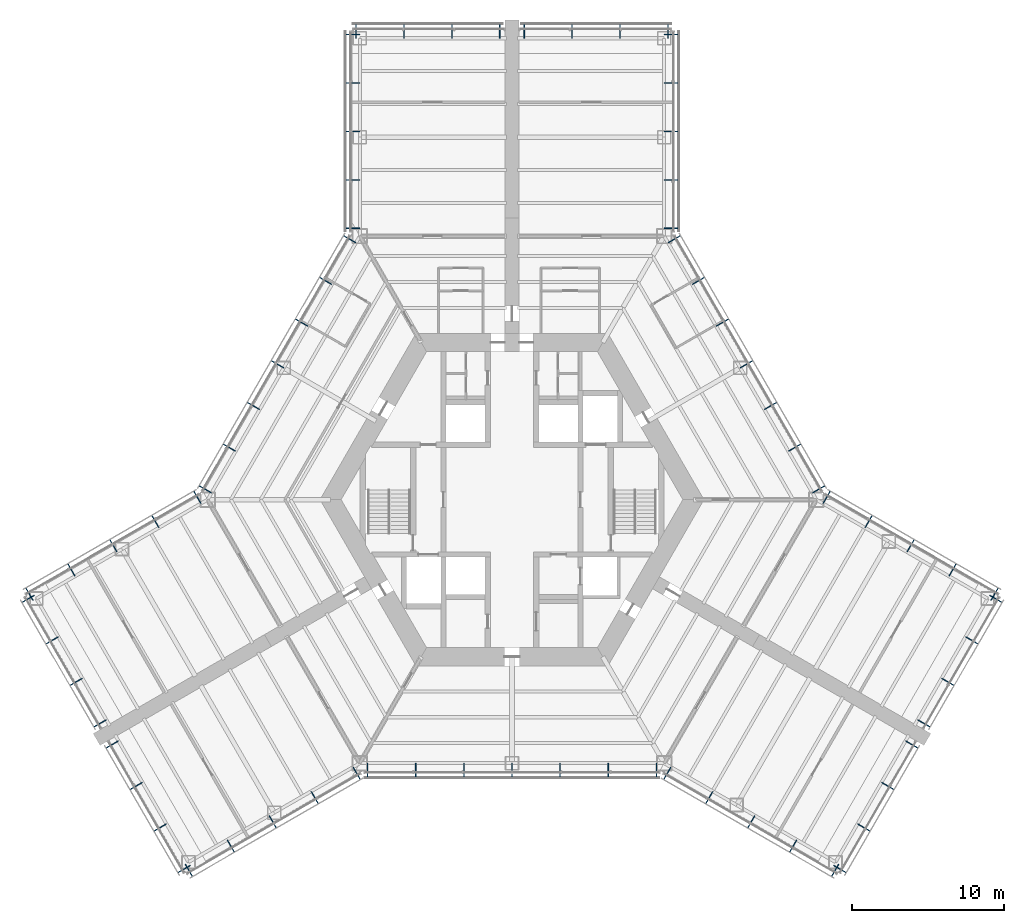
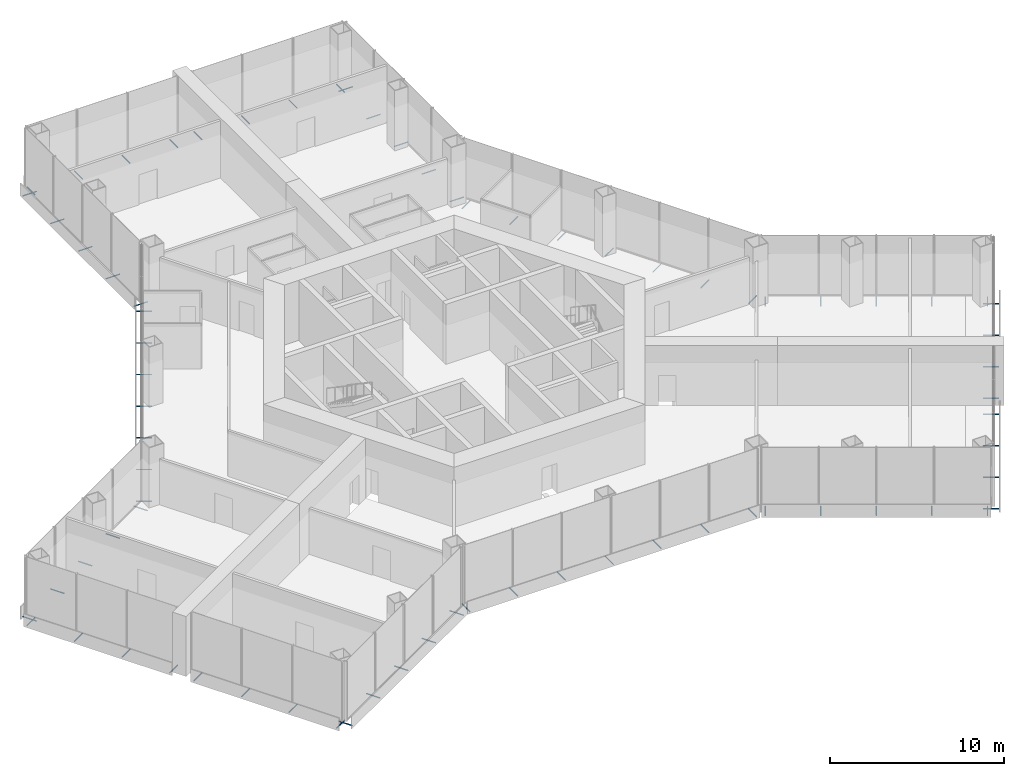
# One storey, part 14 of 16: 75 discrete accessories.
"""IFC4 building model written with IfcOpenShell, lengths in metres."""

from ifc_helpers import new_model, si_unit, direction, frame, origin, origin_2d, place, context, subcontext, project, spatial, hollow_circle, extrude, material, material_profile, profile_set, type_object, element, save


model = new_model("IFC4")

# Units and contexts
model_context = context("Model", 3, precision=1e-05, world=origin(), true_north=direction((0.0, 1.0)))
body_context = subcontext(model_context, "Body", "Model", "MODEL_VIEW")
ifc_project = project(units=[si_unit("LENGTHUNIT", "METRE"), si_unit("AREAUNIT", "SQUARE_METRE"), si_unit("VOLUMEUNIT", "CUBIC_METRE"), si_unit("PLANEANGLEUNIT", "RADIAN"), si_unit("MASSUNIT", "GRAM", prefix="KILO")], contexts=[model_context])

# Site, building, storey
site_placement = place(None, origin())
site = spatial("IfcSite", under=ifc_project, at=site_placement, CompositionType="ELEMENT")
building_placement = place(site_placement, origin())
building = spatial("IfcBuilding", under=site, at=building_placement, Name="Kasaneha Research Tower", CompositionType="ELEMENT")
storey_placement = place(building_placement, frame((0.0, 0.0, 10.0)))
storey = spatial("IfcBuildingStorey", under=building, at=storey_placement, Name="L03", CompositionType="ELEMENT", Elevation=10.0)

# Discrete accessories
ifc_material = material(Name="Steel STK400", Category="steel")
ifc_material_profile = material_profile(ifc_material, hollow_circle(Radius=0.0380859375, WallThickness=0.00390625, at=origin_2d()), Name="CHS-76.3x4.0")
ifc_profile_set = profile_set([ifc_material_profile], Name="Steel STK400")
discrete_accessory_type = type_object("IfcDiscreteAccessoryType", Name="Screen bracket CHS-76.3x4.0", PredefinedType="BRACKET", material=ifc_profile_set)
discrete_accessory_1_placement = place(storey_placement, frame((-21.474853515625, -23.945556640625, -0.35009765625), z_axis=(0.500021113727, -0.866013213425, 0.0), x_axis=(0.866013213425, 0.500021113727, 0.0)))
element("IfcDiscreteAccessory", 1, at=discrete_accessory_1_placement, inside=storey, type_object=discrete_accessory_type, Name="Screen bracket 1", PredefinedType="BRACKET", context=body_context, shape_type="SweptSolid", body=[
    extrude(hollow_circle(Radius=0.0380859375, WallThickness=0.00390625, at=origin_2d()), origin(), (0.0, 0.0, 1.0), 0.919921875),
])
discrete_accessory_2_placement = place(storey_placement, frame((-18.716796875, -22.35302734375, -0.35009765625), z_axis=(0.500105201737, -0.865964657013, 0.0), x_axis=(0.865964657013, 0.500105201737, 0.0)))
element("IfcDiscreteAccessory", 2, at=discrete_accessory_2_placement, inside=storey, type_object=discrete_accessory_type, Name="Screen bracket 2", PredefinedType="BRACKET", context=body_context, shape_type="SweptSolid", body=[
    extrude(hollow_circle(Radius=0.0380859375, WallThickness=0.00390625, at=origin_2d()), origin(), (0.0, 0.0, 1.0), 0.920166015625),
])
discrete_accessory_3_placement = place(storey_placement, frame((-15.95849609375, -20.7607421875, -0.35009765625), z_axis=(0.500021113727, -0.866013213425, 0.0), x_axis=(0.866013213425, 0.500021113727, 0.0)))
element("IfcDiscreteAccessory", 3, at=discrete_accessory_3_placement, inside=storey, type_object=discrete_accessory_type, Name="Screen bracket 3", PredefinedType="BRACKET", context=body_context, shape_type="SweptSolid", body=[
    extrude(hollow_circle(Radius=0.0380859375, WallThickness=0.00390625, at=origin_2d()), origin(), (0.0, 0.0, 1.0), 0.919921875),
])
discrete_accessory_4_placement = place(storey_placement, frame((-13.200439453125, -19.168212890625, -0.35009765625), z_axis=(0.499906209203, -0.866079547155, 0.0), x_axis=(0.866079547155, 0.499906209203, 0.0)))
element("IfcDiscreteAccessory", 4, at=discrete_accessory_4_placement, inside=storey, type_object=discrete_accessory_type, Name="Screen bracket 4", PredefinedType="BRACKET", context=body_context, shape_type="SweptSolid", body=[
    extrude(hollow_circle(Radius=0.0380859375, WallThickness=0.00390625, at=origin_2d()), origin(), (0.0, 0.0, 1.0), 0.920166015625),
])
for number, where, z_axis, x_axis, name in (
    (5, (-10.4423828125, -17.575927734375, -0.35009765625), (0.500021113727, -0.866013213425, 0.0), (0.866013213425, 0.500021113727, 0.0), "Screen bracket 5"),
    (6, (-9.4892578125, -17.320556640625, -0.35009765625), (0.0, -1.0, 0.0), (1.0, 0.0, 0.0), "Screen bracket 1"),
    (7, (-6.326171875, -17.320556640625, -0.35009765625), (0.0, -1.0, 0.0), (1.0, 0.0, 0.0), "Screen bracket 2"),
    (8, (-3.1630859375, -17.320556640625, -0.35009765625), (0.0, -1.0, 0.0), (1.0, 0.0, 0.0), "Screen bracket 3"),
    (9, (0.0, -17.320556640625, -0.35009765625), (0.0, -1.0, 0.0), (1.0, 0.0, 0.0), "Screen bracket 4"),
    (10, (3.1630859375, -17.320556640625, -0.35009765625), (0.0, -1.0, 0.0), (1.0, 0.0, 0.0), "Screen bracket 5"),
    (11, (6.326171875, -17.320556640625, -0.35009765625), (0.0, -1.0, 0.0), (1.0, 0.0, 0.0), "Screen bracket 6"),
    (12, (9.4892578125, -17.320556640625, -0.35009765625), (0.0, -1.0, 0.0), (1.0, 0.0, 0.0), "Screen bracket 7"),
    (13, (10.4423828125, -17.575927734375, -0.35009765625), (-0.500021113727, -0.866013213425, 0.0), (0.866013213425, -0.500021113727, 0.0), "Screen bracket 1"),
):
    element("IfcDiscreteAccessory", number, at=place(storey_placement, frame(where, z_axis=z_axis, x_axis=x_axis)), inside=storey, type_object=discrete_accessory_type, Name=name, PredefinedType="BRACKET", context=body_context, shape_type="SweptSolid", body=[
        extrude(hollow_circle(Radius=0.0380859375, WallThickness=0.00390625, at=origin_2d()), origin(), (0.0, 0.0, 1.0), 0.919921875),
    ])
discrete_accessory_5_placement = place(storey_placement, frame((13.200439453125, -19.168212890625, -0.35009765625), z_axis=(-0.499906209203, -0.866079547155, 0.0), x_axis=(0.866079547155, -0.499906209203, 0.0)))
element("IfcDiscreteAccessory", 14, at=discrete_accessory_5_placement, inside=storey, type_object=discrete_accessory_type, Name="Screen bracket 2", PredefinedType="BRACKET", context=body_context, shape_type="SweptSolid", body=[
    extrude(hollow_circle(Radius=0.0380859375, WallThickness=0.00390625, at=origin_2d()), origin(), (0.0, 0.0, 1.0), 0.920166015625),
])
discrete_accessory_6_placement = place(storey_placement, frame((15.95849609375, -20.7607421875, -0.35009765625), z_axis=(-0.500021113727, -0.866013213425, 0.0), x_axis=(0.866013213425, -0.500021113727, 0.0)))
element("IfcDiscreteAccessory", 15, at=discrete_accessory_6_placement, inside=storey, type_object=discrete_accessory_type, Name="Screen bracket 3", PredefinedType="BRACKET", context=body_context, shape_type="SweptSolid", body=[
    extrude(hollow_circle(Radius=0.0380859375, WallThickness=0.00390625, at=origin_2d()), origin(), (0.0, 0.0, 1.0), 0.919921875),
])
discrete_accessory_7_placement = place(storey_placement, frame((18.716796875, -22.35302734375, -0.35009765625), z_axis=(-0.500105201737, -0.865964657013, 0.0), x_axis=(0.865964657013, -0.500105201737, 0.0)))
element("IfcDiscreteAccessory", 16, at=discrete_accessory_7_placement, inside=storey, type_object=discrete_accessory_type, Name="Screen bracket 4", PredefinedType="BRACKET", context=body_context, shape_type="SweptSolid", body=[
    extrude(hollow_circle(Radius=0.0380859375, WallThickness=0.00390625, at=origin_2d()), origin(), (0.0, 0.0, 1.0), 0.920166015625),
])
discrete_accessory_8_placement = place(storey_placement, frame((21.474853515625, -23.945556640625, -0.35009765625), z_axis=(-0.500021113727, -0.866013213425, 0.0), x_axis=(0.866013213425, -0.500021113727, 0.0)))
element("IfcDiscreteAccessory", 17, at=discrete_accessory_8_placement, inside=storey, type_object=discrete_accessory_type, Name="Screen bracket 5", PredefinedType="BRACKET", context=body_context, shape_type="SweptSolid", body=[
    extrude(hollow_circle(Radius=0.0380859375, WallThickness=0.00390625, at=origin_2d()), origin(), (0.0, 0.0, 1.0), 0.919921875),
])
for number, where, z_axis, x_axis, name in (
    (18, (21.13330078125, -24.037109375, -0.35009765625), (0.866079547155, -0.499906209203, 0.0), (0.499906209203, 0.866079547155, 0.0), "Screen bracket 1"),
    (19, (22.708251953125, -21.30908203125, -0.35009765625), (0.866079547155, -0.499906209203, 0.0), (0.499906209203, 0.866079547155, 0.0), "Screen bracket 2"),
):
    element("IfcDiscreteAccessory", number, at=place(storey_placement, frame(where, z_axis=z_axis, x_axis=x_axis)), inside=storey, type_object=discrete_accessory_type, Name=name, PredefinedType="BRACKET", context=body_context, shape_type="SweptSolid", body=[
        extrude(hollow_circle(Radius=0.0380859375, WallThickness=0.00390625, at=origin_2d()), origin(), (0.0, 0.0, 1.0), 0.920166015625),
    ])
for number, where, z_axis, x_axis, name in (
    (20, (24.283447265625, -18.5810546875, -0.35009765625), (0.866013213425, -0.500021113727, 0.0), (0.500021113727, 0.866013213425, 0.0), "Screen bracket 3"),
    (21, (25.8583984375, -15.85302734375, -0.35009765625), (0.866013213425, -0.500021113727, 0.0), (0.500021113727, 0.866013213425, 0.0), "Screen bracket 4"),
    (22, (26.658447265625, -14.467529296875, -0.35009765625), (0.866013213425, -0.500021113727, 0.0), (0.500021113727, 0.866013213425, 0.0), "Screen bracket 1"),
    (23, (28.2333984375, -11.739501953125, -0.35009765625), (0.866013213425, -0.500021113727, 0.0), (0.500021113727, 0.866013213425, 0.0), "Screen bracket 2"),
    (24, (29.808349609375, -9.011474609375, -0.35009765625), (0.866013213425, -0.500021113727, 0.0), (0.500021113727, 0.866013213425, 0.0), "Screen bracket 3"),
):
    element("IfcDiscreteAccessory", number, at=place(storey_placement, frame(where, z_axis=z_axis, x_axis=x_axis)), inside=storey, type_object=discrete_accessory_type, Name=name, PredefinedType="BRACKET", context=body_context, shape_type="SweptSolid", body=[
        extrude(hollow_circle(Radius=0.0380859375, WallThickness=0.00390625, at=origin_2d()), origin(), (0.0, 0.0, 1.0), 0.919921875),
    ])
discrete_accessory_9_placement = place(storey_placement, frame((31.38330078125, -6.283447265625, -0.35009765625), z_axis=(0.866079547155, -0.499906209203, 0.0), x_axis=(0.499906209203, 0.866079547155, 0.0)))
element("IfcDiscreteAccessory", 25, at=discrete_accessory_9_placement, inside=storey, type_object=discrete_accessory_type, Name="Screen bracket 4", PredefinedType="BRACKET", context=body_context, shape_type="SweptSolid", body=[
    extrude(hollow_circle(Radius=0.0380859375, WallThickness=0.00390625, at=origin_2d()), origin(), (0.0, 0.0, 1.0), 0.920166015625),
])
discrete_accessory_10_placement = place(storey_placement, frame((31.474853515625, -6.625, -0.35009765625), z_axis=(0.500021113727, 0.866013213425, 0.0), x_axis=(-0.866013213425, 0.500021113727, 0.0)))
element("IfcDiscreteAccessory", 26, at=discrete_accessory_10_placement, inside=storey, type_object=discrete_accessory_type, Name="Screen bracket 1", PredefinedType="BRACKET", context=body_context, shape_type="SweptSolid", body=[
    extrude(hollow_circle(Radius=0.0380859375, WallThickness=0.00390625, at=origin_2d()), origin(), (0.0, 0.0, 1.0), 0.919921875),
])
discrete_accessory_11_placement = place(storey_placement, frame((28.716796875, -5.03271484375, -0.35009765625), z_axis=(0.499906209203, 0.866079547155, 0.0), x_axis=(-0.866079547155, 0.499906209203, 0.0)))
element("IfcDiscreteAccessory", 27, at=discrete_accessory_11_placement, inside=storey, type_object=discrete_accessory_type, Name="Screen bracket 2", PredefinedType="BRACKET", context=body_context, shape_type="SweptSolid", body=[
    extrude(hollow_circle(Radius=0.0380859375, WallThickness=0.00390625, at=origin_2d()), origin(), (0.0, 0.0, 1.0), 0.920166015625),
])
discrete_accessory_12_placement = place(storey_placement, frame((25.95849609375, -3.440185546875, -0.35009765625), z_axis=(0.500220121494, 0.865898279276, 0.0), x_axis=(-0.865898279276, 0.500220121494, 0.0)))
element("IfcDiscreteAccessory", 28, at=discrete_accessory_12_placement, inside=storey, type_object=discrete_accessory_type, Name="Screen bracket 3", PredefinedType="BRACKET", context=body_context, shape_type="SweptSolid", body=[
    extrude(hollow_circle(Radius=0.0380859375, WallThickness=0.00390625, at=origin_2d()), origin(), (0.0, 0.0, 1.0), 0.919921875),
])
discrete_accessory_13_placement = place(storey_placement, frame((23.200439453125, -1.847900390625, -0.35009765625), z_axis=(0.499906209203, 0.866079547155, 0.0), x_axis=(-0.866079547155, 0.499906209203, 0.0)))
element("IfcDiscreteAccessory", 29, at=discrete_accessory_13_placement, inside=storey, type_object=discrete_accessory_type, Name="Screen bracket 4", PredefinedType="BRACKET", context=body_context, shape_type="SweptSolid", body=[
    extrude(hollow_circle(Radius=0.0380859375, WallThickness=0.00390625, at=origin_2d()), origin(), (0.0, 0.0, 1.0), 0.920166015625),
])
for number, where, z_axis, x_axis, name in (
    (30, (20.4423828125, -0.25537109375, -0.35009765625), (0.500021113727, 0.866013213425, 0.0), (-0.866013213425, 0.500021113727, 0.0), "Screen bracket 5"),
    (31, (19.74462890625, 0.4423828125, -0.35009765625), (0.866013213425, 0.500021113727, 0.0), (-0.500021113727, 0.866013213425, 0.0), "Screen bracket 1"),
    (32, (18.1630859375, 3.181640625, -0.35009765625), (0.866013213425, 0.500021113727, 0.0), (-0.500021113727, 0.866013213425, 0.0), "Screen bracket 2"),
    (33, (16.58154296875, 5.9208984375, -0.35009765625), (0.866013213425, 0.500021113727, 0.0), (-0.500021113727, 0.866013213425, 0.0), "Screen bracket 3"),
    (34, (15.0, 8.66015625, -0.35009765625), (0.865898279276, 0.500220121494, 0.0), (-0.500220121494, 0.865898279276, 0.0), "Screen bracket 4"),
    (35, (13.41845703125, 11.399658203125, -0.35009765625), (0.866013213425, 0.500021113727, 0.0), (-0.500021113727, 0.866013213425, 0.0), "Screen bracket 5"),
    (36, (11.8369140625, 14.138916015625, -0.35009765625), (0.866013213425, 0.500021113727, 0.0), (-0.500021113727, 0.866013213425, 0.0), "Screen bracket 6"),
):
    element("IfcDiscreteAccessory", number, at=place(storey_placement, frame(where, z_axis=z_axis, x_axis=x_axis)), inside=storey, type_object=discrete_accessory_type, Name=name, PredefinedType="BRACKET", context=body_context, shape_type="SweptSolid", body=[
        extrude(hollow_circle(Radius=0.0380859375, WallThickness=0.00390625, at=origin_2d()), origin(), (0.0, 0.0, 1.0), 0.919921875),
    ])
discrete_accessory_14_placement = place(storey_placement, frame((10.25537109375, 16.878173828125, -0.35009765625), z_axis=(0.866079547155, 0.499906209203, 0.0), x_axis=(-0.499906209203, 0.866079547155, 0.0)))
element("IfcDiscreteAccessory", 37, at=discrete_accessory_14_placement, inside=storey, type_object=discrete_accessory_type, Name="Screen bracket 7", PredefinedType="BRACKET", context=body_context, shape_type="SweptSolid", body=[
    extrude(hollow_circle(Radius=0.0380859375, WallThickness=0.00390625, at=origin_2d()), origin(), (0.0, 0.0, 1.0), 0.920166015625),
])
for number, where, z_axis, x_axis, name in (
    (38, (10.0, 17.831298828125, -0.35009765625), (1.0, 0.0, 0.0), (0.0, 1.0, 0.0), "Screen bracket 1"),
    (39, (10.0, 21.01611328125, -0.35009765625), (1.0, 0.0, 0.0), (0.0, 1.0, 0.0), "Screen bracket 2"),
    (40, (10.0, 24.200927734375, -0.35009765625), (1.0, 0.0, 0.0), (0.0, 1.0, 0.0), "Screen bracket 3"),
    (41, (10.0, 27.3857421875, -0.35009765625), (1.0, 0.0, 0.0), (0.0, 1.0, 0.0), "Screen bracket 4"),
    (42, (10.0, 30.570556640625, -0.35009765625), (1.0, 0.0, 0.0), (0.0, 1.0, 0.0), "Screen bracket 5"),
    (43, (10.25, 30.320556640625, -0.35009765625), (0.0, 1.0, 0.0), (-1.0, 0.0, 0.0), "Screen bracket 1"),
    (44, (7.10009765625, 30.320556640625, -0.35009765625), (0.0, 1.0, 0.0), (-1.0, 0.0, 0.0), "Screen bracket 2"),
    (45, (3.949951171875, 30.320556640625, -0.35009765625), (0.0, 1.0, 0.0), (-1.0, 0.0, 0.0), "Screen bracket 3"),
    (46, (0.800048828125, 30.320556640625, -0.35009765625), (0.0, 1.0, 0.0), (-1.0, 0.0, 0.0), "Screen bracket 4"),
    (47, (-0.800048828125, 30.320556640625, -0.35009765625), (0.0, 1.0, 0.0), (-1.0, 0.0, 0.0), "Screen bracket 1"),
    (48, (-3.949951171875, 30.320556640625, -0.35009765625), (0.0, 1.0, 0.0), (-1.0, 0.0, 0.0), "Screen bracket 2"),
    (49, (-7.10009765625, 30.320556640625, -0.35009765625), (0.0, 1.0, 0.0), (-1.0, 0.0, 0.0), "Screen bracket 3"),
    (50, (-10.25, 30.320556640625, -0.35009765625), (0.0, 1.0, 0.0), (-1.0, 0.0, 0.0), "Screen bracket 4"),
    (51, (-10.0, 30.570556640625, -0.35009765625), (-1.0, 0.0, 0.0), (0.0, -1.0, 0.0), "Screen bracket 1"),
    (52, (-10.0, 27.3857421875, -0.35009765625), (-1.0, 0.0, 0.0), (0.0, -1.0, 0.0), "Screen bracket 2"),
    (53, (-10.0, 24.200927734375, -0.35009765625), (-1.0, 0.0, 0.0), (0.0, -1.0, 0.0), "Screen bracket 3"),
    (54, (-10.0, 21.01611328125, -0.35009765625), (-1.0, 0.0, 0.0), (0.0, -1.0, 0.0), "Screen bracket 4"),
    (55, (-10.0, 17.831298828125, -0.35009765625), (-1.0, 0.0, 0.0), (0.0, -1.0, 0.0), "Screen bracket 5"),
):
    element("IfcDiscreteAccessory", number, at=place(storey_placement, frame(where, z_axis=z_axis, x_axis=x_axis)), inside=storey, type_object=discrete_accessory_type, Name=name, PredefinedType="BRACKET", context=body_context, shape_type="SweptSolid", body=[
        extrude(hollow_circle(Radius=0.0380859375, WallThickness=0.00390625, at=origin_2d()), origin(), (0.0, 0.0, 1.0), 0.919921875),
    ])
discrete_accessory_15_placement = place(storey_placement, frame((-10.25537109375, 16.878173828125, -0.35009765625), z_axis=(-0.866079547155, 0.499906209203, 0.0), x_axis=(-0.499906209203, -0.866079547155, 0.0)))
element("IfcDiscreteAccessory", 56, at=discrete_accessory_15_placement, inside=storey, type_object=discrete_accessory_type, Name="Screen bracket 1", PredefinedType="BRACKET", context=body_context, shape_type="SweptSolid", body=[
    extrude(hollow_circle(Radius=0.0380859375, WallThickness=0.00390625, at=origin_2d()), origin(), (0.0, 0.0, 1.0), 0.920166015625),
])
for number, where, z_axis, x_axis, name in (
    (57, (-11.8369140625, 14.138916015625, -0.35009765625), (-0.866013213425, 0.500021113727, 0.0), (-0.500021113727, -0.866013213425, 0.0), "Screen bracket 2"),
    (58, (-13.41845703125, 11.399658203125, -0.35009765625), (-0.866013213425, 0.500021113727, 0.0), (-0.500021113727, -0.866013213425, 0.0), "Screen bracket 3"),
    (59, (-15.0, 8.66015625, -0.35009765625), (-0.865898279276, 0.500220121494, 0.0), (-0.500220121494, -0.865898279276, 0.0), "Screen bracket 4"),
    (60, (-16.58154296875, 5.9208984375, -0.35009765625), (-0.866013213425, 0.500021113727, 0.0), (-0.500021113727, -0.866013213425, 0.0), "Screen bracket 5"),
    (61, (-18.1630859375, 3.181640625, -0.35009765625), (-0.866013213425, 0.500021113727, 0.0), (-0.500021113727, -0.866013213425, 0.0), "Screen bracket 6"),
    (62, (-19.74462890625, 0.4423828125, -0.35009765625), (-0.866013213425, 0.500021113727, 0.0), (-0.500021113727, -0.866013213425, 0.0), "Screen bracket 7"),
    (63, (-20.4423828125, -0.25537109375, -0.35009765625), (-0.500021113727, 0.866013213425, 0.0), (-0.866013213425, -0.500021113727, 0.0), "Screen bracket 1"),
):
    element("IfcDiscreteAccessory", number, at=place(storey_placement, frame(where, z_axis=z_axis, x_axis=x_axis)), inside=storey, type_object=discrete_accessory_type, Name=name, PredefinedType="BRACKET", context=body_context, shape_type="SweptSolid", body=[
        extrude(hollow_circle(Radius=0.0380859375, WallThickness=0.00390625, at=origin_2d()), origin(), (0.0, 0.0, 1.0), 0.919921875),
    ])
discrete_accessory_16_placement = place(storey_placement, frame((-23.200439453125, -1.847900390625, -0.35009765625), z_axis=(-0.499906209203, 0.866079547155, 0.0), x_axis=(-0.866079547155, -0.499906209203, 0.0)))
element("IfcDiscreteAccessory", 64, at=discrete_accessory_16_placement, inside=storey, type_object=discrete_accessory_type, Name="Screen bracket 2", PredefinedType="BRACKET", context=body_context, shape_type="SweptSolid", body=[
    extrude(hollow_circle(Radius=0.0380859375, WallThickness=0.00390625, at=origin_2d()), origin(), (0.0, 0.0, 1.0), 0.920166015625),
])
discrete_accessory_17_placement = place(storey_placement, frame((-25.95849609375, -3.440185546875, -0.35009765625), z_axis=(-0.500220121494, 0.865898279276, 0.0), x_axis=(-0.865898279276, -0.500220121494, 0.0)))
element("IfcDiscreteAccessory", 65, at=discrete_accessory_17_placement, inside=storey, type_object=discrete_accessory_type, Name="Screen bracket 3", PredefinedType="BRACKET", context=body_context, shape_type="SweptSolid", body=[
    extrude(hollow_circle(Radius=0.0380859375, WallThickness=0.00390625, at=origin_2d()), origin(), (0.0, 0.0, 1.0), 0.919921875),
])
discrete_accessory_18_placement = place(storey_placement, frame((-28.716796875, -5.03271484375, -0.35009765625), z_axis=(-0.499906209203, 0.866079547155, 0.0), x_axis=(-0.866079547155, -0.499906209203, 0.0)))
element("IfcDiscreteAccessory", 66, at=discrete_accessory_18_placement, inside=storey, type_object=discrete_accessory_type, Name="Screen bracket 4", PredefinedType="BRACKET", context=body_context, shape_type="SweptSolid", body=[
    extrude(hollow_circle(Radius=0.0380859375, WallThickness=0.00390625, at=origin_2d()), origin(), (0.0, 0.0, 1.0), 0.920166015625),
])
discrete_accessory_19_placement = place(storey_placement, frame((-31.474853515625, -6.625, -0.35009765625), z_axis=(-0.500021113727, 0.866013213425, 0.0), x_axis=(-0.866013213425, -0.500021113727, 0.0)))
element("IfcDiscreteAccessory", 67, at=discrete_accessory_19_placement, inside=storey, type_object=discrete_accessory_type, Name="Screen bracket 5", PredefinedType="BRACKET", context=body_context, shape_type="SweptSolid", body=[
    extrude(hollow_circle(Radius=0.0380859375, WallThickness=0.00390625, at=origin_2d()), origin(), (0.0, 0.0, 1.0), 0.919921875),
])
discrete_accessory_20_placement = place(storey_placement, frame((-31.38330078125, -6.283447265625, -0.35009765625), z_axis=(-0.866079547155, -0.499906209203, 0.0), x_axis=(0.499906209203, -0.866079547155, 0.0)))
element("IfcDiscreteAccessory", 68, at=discrete_accessory_20_placement, inside=storey, type_object=discrete_accessory_type, Name="Screen bracket 1", PredefinedType="BRACKET", context=body_context, shape_type="SweptSolid", body=[
    extrude(hollow_circle(Radius=0.0380859375, WallThickness=0.00390625, at=origin_2d()), origin(), (0.0, 0.0, 1.0), 0.920166015625),
])
for number, where, z_axis, x_axis, name in (
    (69, (-29.808349609375, -9.011474609375, -0.35009765625), (-0.866013213425, -0.500021113727, 0.0), (0.500021113727, -0.866013213425, 0.0), "Screen bracket 2"),
    (70, (-28.2333984375, -11.739501953125, -0.35009765625), (-0.866013213425, -0.500021113727, 0.0), (0.500021113727, -0.866013213425, 0.0), "Screen bracket 3"),
    (71, (-26.658447265625, -14.467529296875, -0.35009765625), (-0.866013213425, -0.500021113727, 0.0), (0.500021113727, -0.866013213425, 0.0), "Screen bracket 4"),
    (72, (-25.8583984375, -15.85302734375, -0.35009765625), (-0.866013213425, -0.500021113727, 0.0), (0.500021113727, -0.866013213425, 0.0), "Screen bracket 1"),
    (73, (-24.283447265625, -18.5810546875, -0.35009765625), (-0.866013213425, -0.500021113727, 0.0), (0.500021113727, -0.866013213425, 0.0), "Screen bracket 2"),
):
    element("IfcDiscreteAccessory", number, at=place(storey_placement, frame(where, z_axis=z_axis, x_axis=x_axis)), inside=storey, type_object=discrete_accessory_type, Name=name, PredefinedType="BRACKET", context=body_context, shape_type="SweptSolid", body=[
        extrude(hollow_circle(Radius=0.0380859375, WallThickness=0.00390625, at=origin_2d()), origin(), (0.0, 0.0, 1.0), 0.919921875),
    ])
for number, where, z_axis, x_axis, name in (
    (74, (-22.708251953125, -21.30908203125, -0.35009765625), (-0.866079547155, -0.499906209203, 0.0), (0.499906209203, -0.866079547155, 0.0), "Screen bracket 3"),
    (75, (-21.13330078125, -24.037109375, -0.35009765625), (-0.866079547155, -0.499906209203, 0.0), (0.499906209203, -0.866079547155, 0.0), "Screen bracket 4"),
):
    element("IfcDiscreteAccessory", number, at=place(storey_placement, frame(where, z_axis=z_axis, x_axis=x_axis)), inside=storey, type_object=discrete_accessory_type, Name=name, PredefinedType="BRACKET", context=body_context, shape_type="SweptSolid", body=[
        extrude(hollow_circle(Radius=0.0380859375, WallThickness=0.00390625, at=origin_2d()), origin(), (0.0, 0.0, 1.0), 0.920166015625),
    ])

save(model, "model.ifc")
